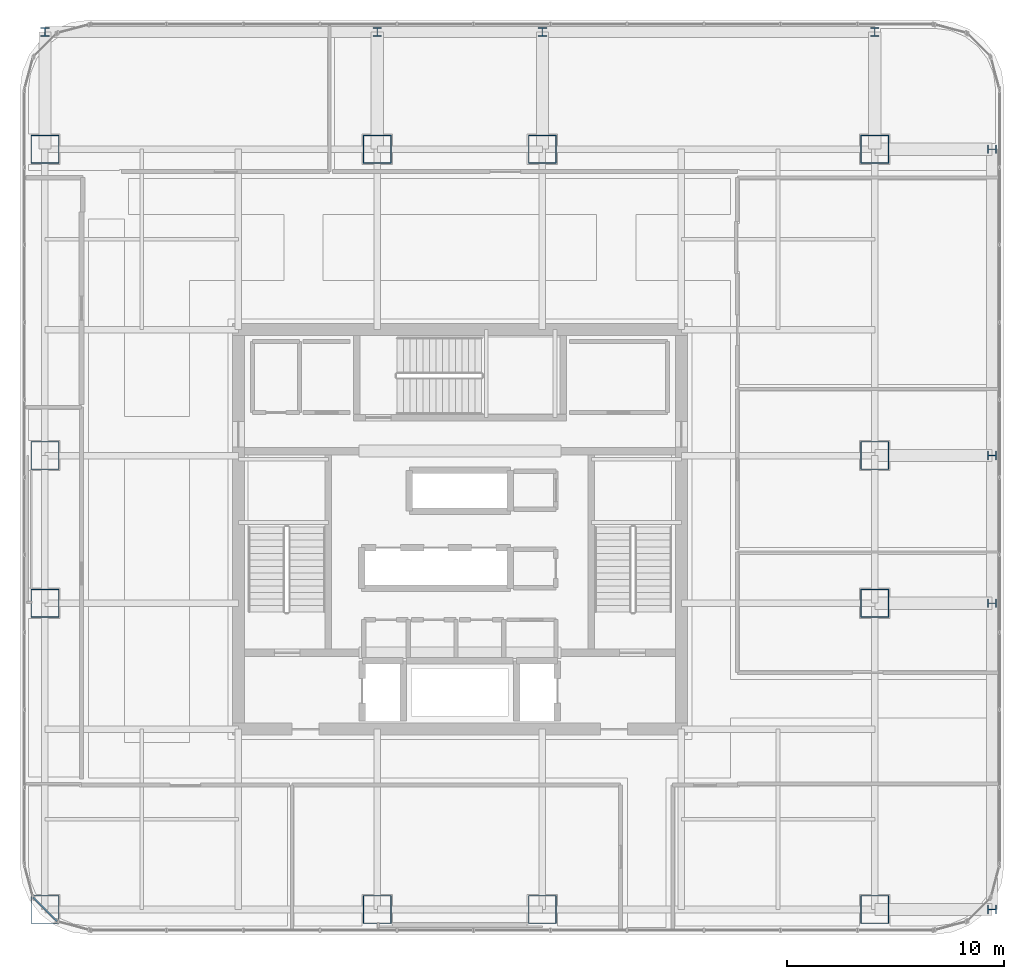
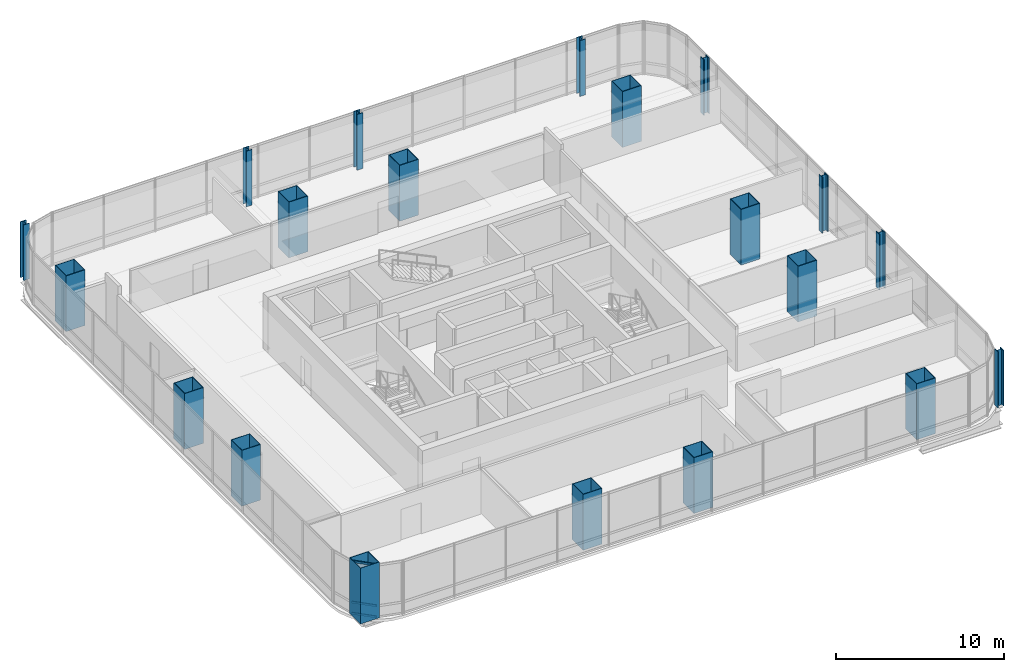
# One storey, part 1 of 42: 20 columns, 3 members, 1 element without a shape of its own.
"""IFC4 building model written with IfcOpenShell, lengths in metres."""

from ifc_helpers import new_model, si_unit, direction, frame, origin, origin_2d, place, context, subcontext, project, spatial, hollow_rectangle, i_section, extrude, material, material_profile, profile_set, type_object, element, aggregate, save


model = new_model("IFC4")

# Units and contexts
model_context = context("Model", 3, precision=1e-05, world=origin(), true_north=direction((0.0, 1.0)))
body_context = subcontext(model_context, "Body", "Model", "MODEL_VIEW")
ifc_project = project(units=[si_unit("LENGTHUNIT", "METRE"), si_unit("AREAUNIT", "SQUARE_METRE"), si_unit("VOLUMEUNIT", "CUBIC_METRE"), si_unit("PLANEANGLEUNIT", "RADIAN"), si_unit("MASSUNIT", "GRAM", prefix="KILO")], contexts=[model_context])

# Site, building, storey
site_placement = place(None, origin())
site = spatial("IfcSite", under=ifc_project, at=site_placement, CompositionType="ELEMENT")
building_placement = place(site_placement, origin())
building = spatial("IfcBuilding", under=site, at=building_placement, Name="Punatoya Terracotta Tower", CompositionType="ELEMENT")
storey_placement = place(building_placement, frame((0.0, 0.0, 255.449951171875)))
storey = spatial("IfcBuildingStorey", under=building, at=storey_placement, Name="L60", CompositionType="ELEMENT", Elevation=255.449951171875)

# Columns
ifc_material_1 = material(Name="Steel S460", Category="steel")
ifc_material_profile_1 = material_profile(ifc_material_1, i_section(OverallWidth=0.406005859375, OverallDepth=0.416015625, WebThickness=0.029052734375, FlangeThickness=0.048095703125, FilletRadius=0.01806640625, at=origin_2d()))
ifc_profile_set_1 = profile_set([ifc_material_profile_1], Name="Steel S460")
column_type_1 = type_object("IfcColumnType", Name="COL-EX-M3", PredefinedType="COLUMN", material=ifc_profile_set_1)
for number, where, z_axis, x_axis, name in (
    (1, (-19.10009765625, 22.89990234375, 0.0), (0.0, 0.0, 1.0), (1.0, 0.0, 0.0), "L60 Exoskeleton Perimeter Column N1"),
    (2, (-3.800048828125, 22.89990234375, 0.0), (0.0, 0.0, 1.0), (1.0, 0.0, 0.0), "L60 Exoskeleton Perimeter Column N2"),
    (3, (3.800048828125, 22.89990234375, 0.0), (0.0, 0.0, 1.0), (1.0, 0.0, 0.0), "L60 Exoskeleton Perimeter Column N3"),
    (4, (19.10009765625, 22.89990234375, 0.0), (0.0, 0.0, 1.0), (1.0, 0.0, 0.0), "L60 Exoskeleton Perimeter Column N4"),
    (5, (24.5, -17.5, 0.0), (0.0, 0.0, 1.0), (0.0, 1.0, 0.0), "L60 Exoskeleton Perimeter Column E1"),
    (6, (24.5, -3.39990234375, 0.0), (0.0, 0.0, 1.0), (0.0, 1.0, 0.0), "L60 Exoskeleton Perimeter Column E2"),
    (7, (24.5, 3.39990234375, 0.0), (0.0, 0.0, 1.0), (0.0, 1.0, 0.0), "L60 Exoskeleton Perimeter Column E3"),
    (8, (24.5, 17.5, 0.0), (0.0, 0.0, 1.0), (0.0, 1.0, 0.0), "L60 Exoskeleton Perimeter Column E4"),
):
    element("IfcColumn", number, at=place(storey_placement, frame(where, z_axis=z_axis, x_axis=x_axis)), inside=storey, type_object=column_type_1, Name=name, PredefinedType="COLUMN", context=body_context, shape_type="SweptSolid", body=[
        extrude(i_section(OverallWidth=0.406005859375, OverallDepth=0.416015625, WebThickness=0.029052734375, FlangeThickness=0.048095703125, FilletRadius=0.01806640625, at=origin_2d()), origin(), (0.0, 0.0, 1.0), 4.048095703125),
    ])
ifc_material_profile_2 = material_profile(ifc_material_1, hollow_rectangle(XDim=1.300048828125, YDim=1.300048828125, WallThickness=0.0380859375, at=origin_2d()))
ifc_profile_set_2 = profile_set([ifc_material_profile_2], Name="Steel S460")
column_type_2 = type_object("IfcColumnType", Name="COL-MC-Z3", PredefinedType="COLUMN", material=ifc_profile_set_2)
for number, where, z_axis, x_axis, name in (
    (9, (-19.10009765625, -17.5, 0.0), (0.0, 0.0, 1.0), (1.0, 0.0, 0.0), "L60 Composite Mega-Column MC-01 (3-B)"),
    (10, (-3.800048828125, -17.5, 0.0), (0.0, 0.0, 1.0), (1.0, 0.0, 0.0), "L60 Composite Mega-Column MC-02 (5-B)"),
    (11, (3.800048828125, -17.5, 0.0), (0.0, 0.0, 1.0), (1.0, 0.0, 0.0), "L60 Composite Mega-Column MC-03 (7-B)"),
    (12, (19.10009765625, -17.5, 0.0), (0.0, 0.0, 1.0), (1.0, 0.0, 0.0), "L60 Composite Mega-Column MC-04 (9-B)"),
    (13, (19.10009765625, -3.39990234375, 0.0), (0.0, 0.0, 1.0), (1.0, 0.0, 0.0), "L60 Composite Mega-Column MC-05 (9-D)"),
    (14, (19.10009765625, 3.39990234375, 0.0), (0.0, 0.0, 1.0), (1.0, 0.0, 0.0), "L60 Composite Mega-Column MC-06 (9-E)"),
    (15, (19.10009765625, 17.5, 0.0), (0.0, 0.0, 1.0), (1.0, 0.0, 0.0), "L60 Composite Mega-Column MC-07 (9-G)"),
    (16, (3.800048828125, 17.5, 0.0), (0.0, 0.0, 1.0), (1.0, 0.0, 0.0), "L60 Composite Mega-Column MC-08 (7-G)"),
    (17, (-3.800048828125, 17.5, 0.0), (0.0, 0.0, 1.0), (1.0, 0.0, 0.0), "L60 Composite Mega-Column MC-09 (5-G)"),
    (18, (-19.10009765625, 17.5, 0.0), (0.0, 0.0, 1.0), (1.0, 0.0, 0.0), "L60 Composite Mega-Column MC-10 (3-G)"),
    (19, (-19.10009765625, 3.39990234375, 0.0), (0.0, 0.0, 1.0), (1.0, 0.0, 0.0), "L60 Composite Mega-Column MC-11 (3-E)"),
    (20, (-19.10009765625, -3.39990234375, 0.0), (0.0, 0.0, 1.0), (1.0, 0.0, 0.0), "L60 Composite Mega-Column MC-12 (3-D)"),
):
    element("IfcColumn", number, at=place(storey_placement, frame(where, z_axis=z_axis, x_axis=x_axis)), inside=storey, type_object=column_type_2, Name=name, PredefinedType="COLUMN", context=body_context, shape_type="SweptSolid", body=[
        extrude(hollow_rectangle(XDim=1.300048828125, YDim=1.300048828125, WallThickness=0.0380859375, at=origin_2d()), origin(), (0.0, 0.0, 1.0), 4.050048828125),
    ])

# Curtain wall, members
ifc_material_2 = material(Name="Aluminium 6063-T6 + Double Low-E Glass", Category="aluminium")
curtain_wall_type = type_object("IfcCurtainWallType", Name="CW-M3", PredefinedType="NOTDEFINED", material=ifc_material_2)
curtain_wall_placement = place(storey_placement, origin())
curtain_wall = element("IfcCurtainWall", 21, at=curtain_wall_placement, inside=storey, type_object=curtain_wall_type, Name="L60 Curtain Wall CW-L60-CRN15", PredefinedType="NOTDEFINED")
ifc_material_3 = material(Name="Aluminium 6063-T6", Category="aluminium")
ifc_material_profile_3 = material_profile(ifc_material_3, hollow_rectangle(XDim=0.068115234375, YDim=0.14990234375, WallThickness=0.00390625, at=origin_2d()))
ifc_profile_set_3 = profile_set([ifc_material_profile_3], Name="Aluminium 6063-T6")
member_type = type_object("IfcMemberType", Name="CW-TRN-TYP", PredefinedType="USERDEFINED", material=ifc_profile_set_3)
member_1_placement = place(storey_placement, frame((-19.646484375, -16.94921875, 0.0400390625), z_axis=(0.707106781187, -0.707106781187, 0.0), x_axis=(0.707106781187, 0.707106781187, 0.0)))
member_1 = element("IfcMember", 22, at=member_1_placement, type_object=member_type, Name="CW-L60-CRN15 Transom 1", ObjectType="TRANSOM", PredefinedType="USERDEFINED", context=body_context, shape_type="SweptSolid", body=[
    extrude(hollow_rectangle(XDim=0.068115234375, YDim=0.14990234375, WallThickness=0.00390625, at=origin_2d()), origin(), (0.0, 0.0, 1.0), 1.552001953125),
])
member_2_placement = place(storey_placement, frame((-19.646484375, -16.94921875, 0.85009765625), z_axis=(0.707106781187, -0.707106781187, 0.0), x_axis=(0.707106781187, 0.707106781187, 0.0)))
member_2 = element("IfcMember", 23, at=member_2_placement, type_object=member_type, Name="CW-L60-CRN15 Transom 2", ObjectType="TRANSOM", PredefinedType="USERDEFINED", context=body_context, shape_type="SweptSolid", body=[
    extrude(hollow_rectangle(XDim=0.068115234375, YDim=0.14990234375, WallThickness=0.00390625, at=origin_2d()), origin(), (0.0, 0.0, 1.0), 1.552001953125),
])
member_3_placement = place(storey_placement, frame((-19.646484375, -16.94921875, 3.81005859375), z_axis=(0.707106781187, -0.707106781187, 0.0), x_axis=(0.707106781187, 0.707106781187, 0.0)))
member_3 = element("IfcMember", 24, at=member_3_placement, type_object=member_type, Name="CW-L60-CRN15 Transom 3", ObjectType="TRANSOM", PredefinedType="USERDEFINED", context=body_context, shape_type="SweptSolid", body=[
    extrude(hollow_rectangle(XDim=0.068115234375, YDim=0.14990234375, WallThickness=0.00390625, at=origin_2d()), origin(), (0.0, 0.0, 1.0), 1.552001953125),
])
aggregate(curtain_wall, [member_1, member_2, member_3])

save(model, "model.ifc")
